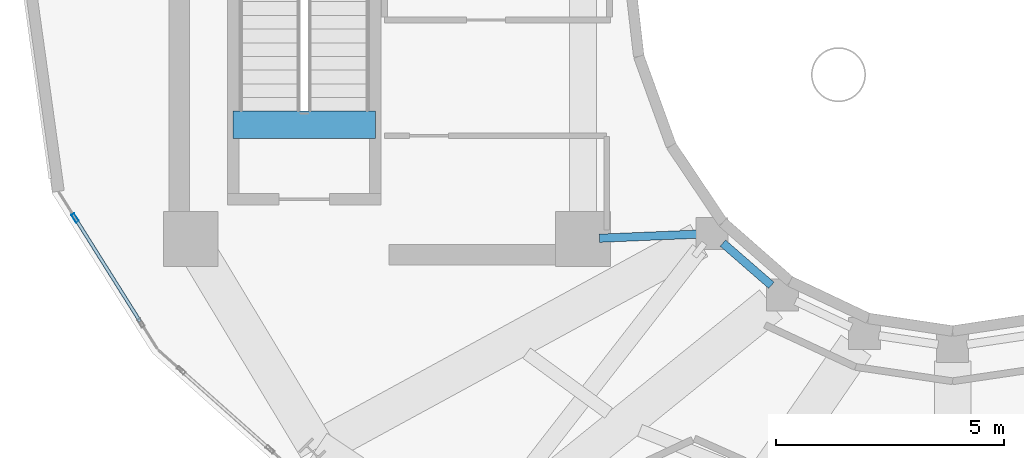
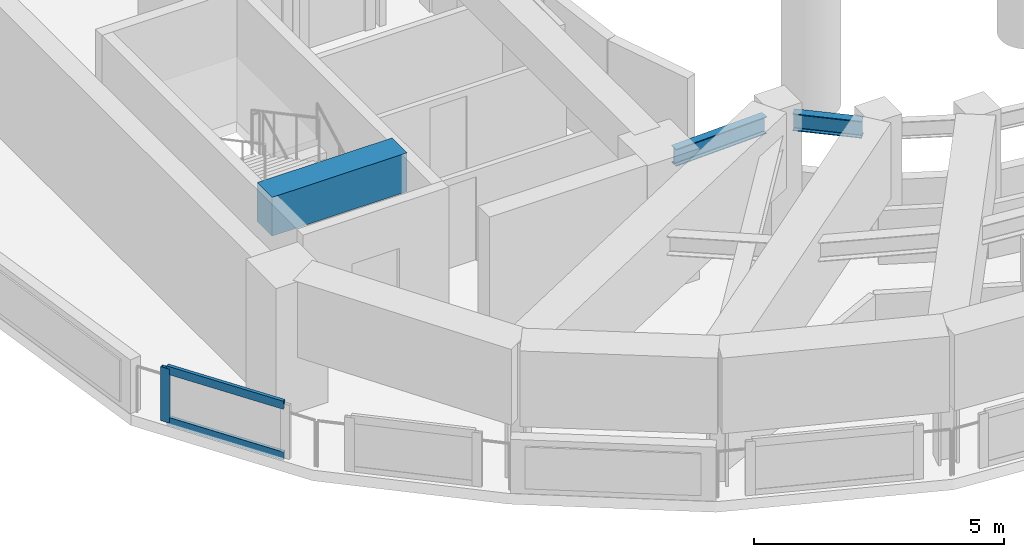
# One storey, part 3 of 17: 3 beams, 3 members, 1 element without a shape of its own.
"""IFC4 building model written with IfcOpenShell, lengths in metres."""

from ifc_helpers import new_model, si_unit, direction, frame, origin, origin_2d, place, context, subcontext, project, spatial, rectangle, hollow_rectangle, i_section, extrude, material, layer, layer_set, material_profile, profile_set, type_object, element, aggregate, save


model = new_model("IFC4")

# Units and contexts
model_context = context("Model", 3, precision=1e-05, world=origin(), true_north=direction((0.0, 1.0)))
body_context = subcontext(model_context, "Body", "Model", "MODEL_VIEW")
ifc_project = project(units=[si_unit("LENGTHUNIT", "METRE"), si_unit("AREAUNIT", "SQUARE_METRE"), si_unit("VOLUMEUNIT", "CUBIC_METRE"), si_unit("PLANEANGLEUNIT", "RADIAN"), si_unit("MASSUNIT", "GRAM", prefix="KILO")], contexts=[model_context])

# Site, building, storey
site_placement = place(None, origin())
site = spatial("IfcSite", under=ifc_project, at=site_placement, CompositionType="ELEMENT")
building_placement = place(site_placement, origin())
building = spatial("IfcBuilding", under=site, at=building_placement, Name="Solvane Sanctuary Tower", CompositionType="ELEMENT")
storey_placement = place(building_placement, frame((0.0, 0.0, 273.199951171875)))
storey = spatial("IfcBuildingStorey", under=building, at=storey_placement, Name="L83", CompositionType="ELEMENT", Elevation=273.199951171875)

# Beams
ifc_material_1 = material(Name="Concrete C70/85", Category="concrete")
ifc_material_profile_1 = material_profile(ifc_material_1, rectangle(XDim=0.60009765625, YDim=0.949951171875, at=origin_2d()), Name="RC600X950")
ifc_profile_set_1 = profile_set([ifc_material_profile_1], Name="Concrete C70/85")
beam_type_1 = type_object("IfcBeamType", Name="Beam B-COUPLE RC600X950", PredefinedType="LINTEL", material=ifc_profile_set_1)
beam_1_placement = place(storey_placement, frame((16.22998046875, 19.399169921875, 2.72509765625), z_axis=(1.0, 0.0, 0.0), x_axis=(0.0, 1.0, 0.0)))
element("IfcBeam", 1, at=beam_1_placement, inside=storey, type_object=beam_type_1, Name="L83 ST-1 Stair Floor Landing Trimmer", PredefinedType="LINTEL", context=body_context, shape_type="SweptSolid", body=[
    extrude(rectangle(XDim=0.60009765625, YDim=0.949951171875, at=origin_2d()), origin(), (0.0, 0.0, 1.0), 3.1201171875),
])
ifc_material_2 = material(Name="Steel ASTM A992 Grade 50", Category="steel")
ifc_material_profile_2 = material_profile(ifc_material_2, i_section(OverallWidth=0.180908203125, OverallDepth=0.4169921875, WebThickness=0.010986328125, FlangeThickness=0.018310546875, FilletRadius=0.012939453125, at=origin_2d()), Name="W16X57")
ifc_profile_set_2 = profile_set([ifc_material_profile_2], Name="Steel ASTM A992 Grade 50")
beam_type_2 = type_object("IfcBeamType", Name="Beam B-ROOF-BM W16X57", PredefinedType="BEAM", material=ifc_profile_set_2)
beam_2_placement = place(storey_placement, frame((24.259765625, 16.9150390625, 2.7294921875), z_axis=(0.999129127803, 0.041725124022, 0.0), x_axis=(-0.041725124022, 0.999129127803, 0.0)))
element("IfcBeam", 2, at=beam_2_placement, inside=storey, type_object=beam_type_2, Name="L83 Inner Light-Well Ring Beam CW2-IC08", PredefinedType="BEAM", context=body_context, shape_type="SweptSolid", body=[
    extrude(i_section(OverallWidth=0.180908203125, OverallDepth=0.4169921875, WebThickness=0.010986328125, FlangeThickness=0.018310546875, FilletRadius=0.012939453125, at=origin_2d()), origin(), (0.0, 0.0, 1.0), 2.1474609375),
])
beam_3_placement = place(storey_placement, frame((26.96630859375, 16.807861328125, 2.7294921875), z_axis=(0.754388985763, -0.656427648839, 0.0), x_axis=(0.656427648839, 0.754388985763, 0.0)))
element("IfcBeam", 3, at=beam_3_placement, inside=storey, type_object=beam_type_2, Name="L83 Inner Light-Well Ring Beam IC08-IC09", PredefinedType="BEAM", context=body_context, shape_type="SweptSolid", body=[
    extrude(i_section(OverallWidth=0.180908203125, OverallDepth=0.4169921875, WebThickness=0.010986328125, FlangeThickness=0.018310546875, FilletRadius=0.012939453125, at=origin_2d()), origin(), (0.0, 0.0, 1.0), 1.408203125),
])

# Curtain wall, members
ifc_material_3 = material(Name="Anodised Aluminium 6063-T6", Category="aluminium")
ifc_layer = layer(ifc_material_3, 0.219970703125, Name="Anodised Aluminium 6063-T6")
ifc_layer_set = layer_set([ifc_layer], Name="Anodised Aluminium 6063-T6")
curtain_wall_type = type_object("IfcCurtainWallType", Name="Curtain Wall CW-CROWN", PredefinedType="NOTDEFINED", material=ifc_layer_set)
curtain_wall_placement = place(storey_placement, origin())
curtain_wall = element("IfcCurtainWall", 4, at=curtain_wall_placement, inside=storey, type_object=curtain_wall_type, Name="L83 Crown Fritted Lantern Curtain Wall 13", PredefinedType="NOTDEFINED")
ifc_material_profile_3 = material_profile(ifc_material_3, hollow_rectangle(XDim=0.074951171875, YDim=0.199951171875, WallThickness=0.00390625, at=origin_2d()), Name="ALU200X75X4")
ifc_profile_set_3 = profile_set([ifc_material_profile_3], Name="Anodised Aluminium 6063-T6")
member_type_1 = type_object("IfcMemberType", Name="Member M-CW-MUL-1 ALU200X75X4", PredefinedType="MULLION", material=ifc_profile_set_3)
member_1_placement = place(storey_placement, frame((12.76708984375, 17.36083984375, 0.0), z_axis=(0.0, 0.0, 1.0), x_axis=(0.846857735154, 0.53181949608, 0.0)))
member_1 = element("IfcMember", 5, at=member_1_placement, type_object=member_type_1, Name="CW-CROWN mullion 1", PredefinedType="MULLION", context=body_context, shape_type="SweptSolid", body=[
    extrude(hollow_rectangle(XDim=0.074951171875, YDim=0.199951171875, WallThickness=0.00390625, at=origin_2d()), origin(), (0.0, 0.0, 1.0), 1.320068359375),
])
ifc_material_profile_4 = material_profile(ifc_material_3, hollow_rectangle(XDim=0.074951171875, YDim=0.199951171875, WallThickness=0.00390625, at=origin_2d()), Name="ALU200X75X4")
ifc_profile_set_4 = profile_set([ifc_material_profile_4], Name="Anodised Aluminium 6063-T6")
member_type_2 = type_object("IfcMemberType", Name="Member M-CW-TRN-2 ALU200X75X4", PredefinedType="USERDEFINED", material=ifc_profile_set_4)
member_2_placement = place(storey_placement, frame((12.786865234375, 17.3291015625, 0.03759765625), z_axis=(0.531832847295, -0.846849350557, 0.0), x_axis=(0.846849350557, 0.531832847295, 0.0)))
member_2 = element("IfcMember", 6, at=member_2_placement, type_object=member_type_2, Name="CW-CROWN transom 1.1", ObjectType="TRANSOM", PredefinedType="USERDEFINED", context=body_context, shape_type="SweptSolid", body=[
    extrude(hollow_rectangle(XDim=0.074951171875, YDim=0.199951171875, WallThickness=0.00390625, at=origin_2d()), origin(), (0.0, 0.0, 1.0), 2.642822265625),
])
member_3_placement = place(storey_placement, frame((12.786865234375, 17.3291015625, 1.282470703125), z_axis=(0.531832847295, -0.846849350557, 0.0), x_axis=(0.846849350557, 0.531832847295, 0.0)))
member_3 = element("IfcMember", 7, at=member_3_placement, type_object=member_type_2, Name="CW-CROWN transom 1.2", ObjectType="TRANSOM", PredefinedType="USERDEFINED", context=body_context, shape_type="SweptSolid", body=[
    extrude(hollow_rectangle(XDim=0.074951171875, YDim=0.199951171875, WallThickness=0.00390625, at=origin_2d()), origin(), (0.0, 0.0, 1.0), 2.642822265625),
])
aggregate(curtain_wall, [member_1, member_2, member_3])

save(model, "model.ifc")
